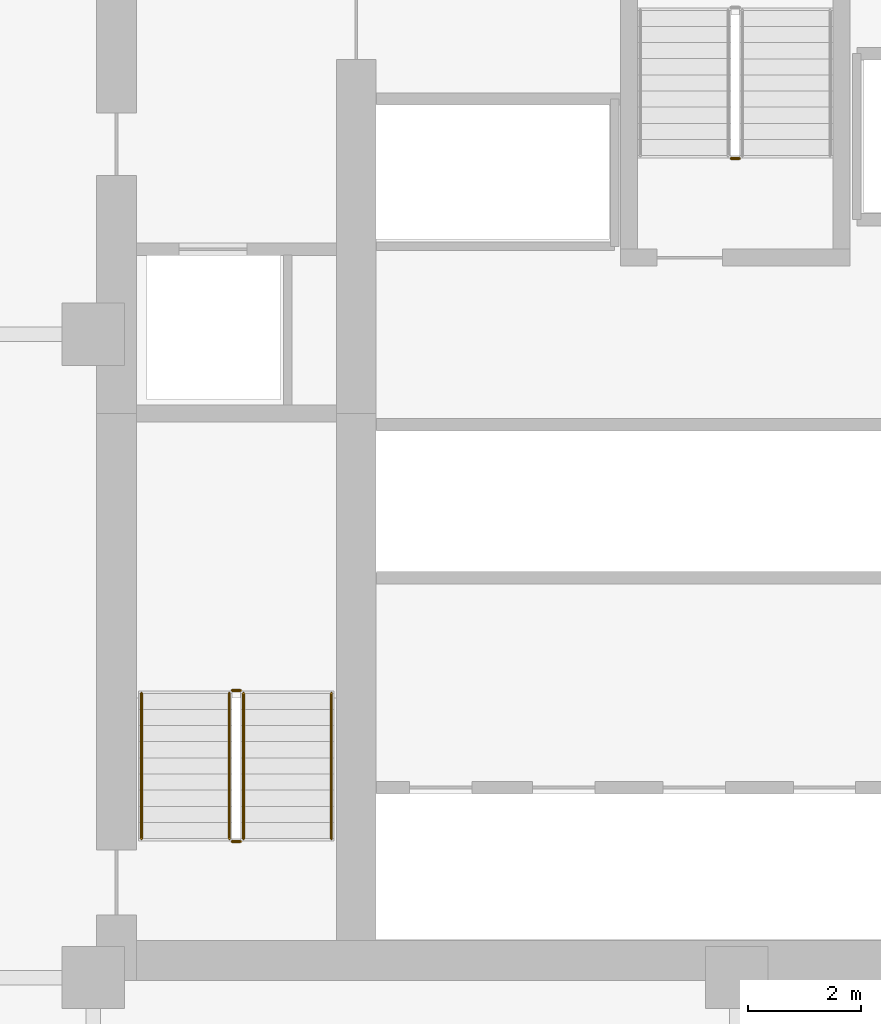
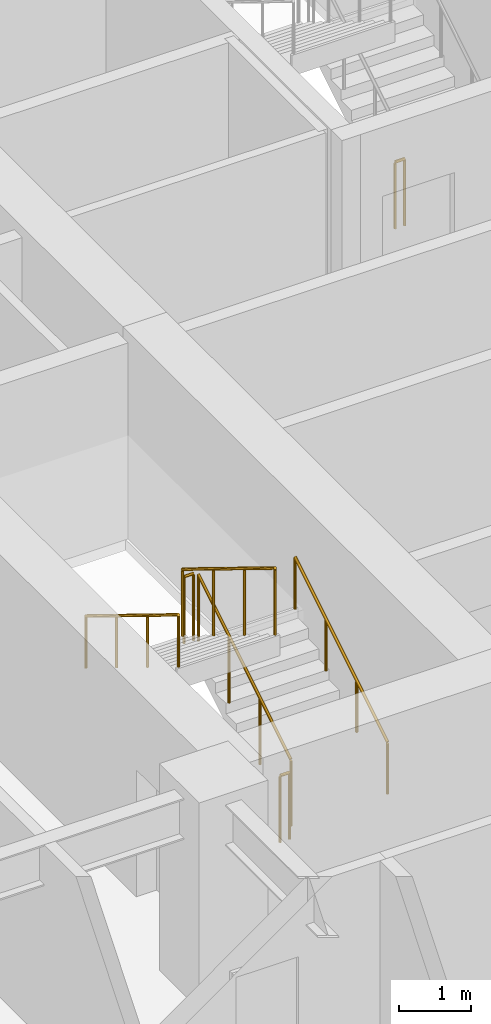
# One storey, part 10 of 11: 7 railings.
"""IFC4 building model written with IfcOpenShell, lengths in metres."""

from ifc_helpers import new_model, si_unit, direction, frame, origin, origin_2d, place, context, subcontext, project, spatial, circle, extrude, material, type_object, element, save


model = new_model("IFC4")

# Units and contexts
model_context = context("Model", 3, precision=1e-05, world=origin(), true_north=direction((0.0, 1.0)))
body_context = subcontext(model_context, "Body", "Model", "MODEL_VIEW")
ifc_project = project(units=[si_unit("LENGTHUNIT", "METRE"), si_unit("AREAUNIT", "SQUARE_METRE"), si_unit("VOLUMEUNIT", "CUBIC_METRE"), si_unit("PLANEANGLEUNIT", "RADIAN"), si_unit("MASSUNIT", "GRAM", prefix="KILO")], contexts=[model_context])

# Site, building, storey
site_placement = place(None, origin())
site = spatial("IfcSite", under=ifc_project, at=site_placement, CompositionType="ELEMENT")
building_placement = place(site_placement, origin())
building = spatial("IfcBuilding", under=site, at=building_placement, Name="Nhamokura Convention Tower", CompositionType="ELEMENT")
storey_placement = place(building_placement, frame((0.0, 0.0, 70.35009765625)))
storey = spatial("IfcBuildingStorey", under=building, at=storey_placement, Name="L16", CompositionType="ELEMENT", Elevation=70.35009765625)

# Railings
ifc_material_1 = material(Name="Anodised bronze stainless steel", Category="steel")
railing_type_1 = type_object("IfcRailingType", Name="StairWallHandrail_900", PredefinedType="HANDRAIL", material=ifc_material_1)
railing_1_placement = place(storey_placement, frame((24.85009765625, 23.10009765625, 0.1748046875)))
element("IfcRailing", 1, at=railing_1_placement, inside=storey, type_object=railing_type_1, Name="L16 ST-01 stair handrail 1", PredefinedType="HANDRAIL", context=body_context, shape_type="SweptSolid", body=[
    extrude(circle(Radius=0.02392578125, at=origin_2d()), frame((0.0, 0.0, 0.8759765625), z_axis=(0.0, 0.85213695991, 0.523318833556), x_axis=(-1.0, 0.0, 0.0)), (0.0, 0.0, 1.0), 3.010009765625),
    extrude(circle(Radius=0.02099609375, at=origin_2d()), origin(), (0.0, 0.0, 1.0), 0.851806640625),
    extrude(circle(Radius=0.02099609375, at=origin_2d()), frame((0.0, 0.85498046875, 0.525146484375)), (0.0, 0.0, 1.0), 0.851806640625),
    extrude(circle(Radius=0.02099609375, at=origin_2d()), frame((0.0, 1.7099609375, 1.050048828125)), (0.0, 0.0, 1.0), 0.851806640625),
    extrude(circle(Radius=0.02099609375, at=origin_2d()), frame((0.0, 2.56494140625, 1.5751953125)), (0.0, 0.0, 1.0), 0.851806640625),
])
railing_2_placement = place(storey_placement, frame((21.5, 25.6650390625, 1.9248046875)))
element("IfcRailing", 2, at=railing_2_placement, inside=storey, type_object=railing_type_1, Name="L16 ST-01 stair handrail 2", PredefinedType="HANDRAIL", context=body_context, shape_type="SweptSolid", body=[
    extrude(circle(Radius=0.02392578125, at=origin_2d()), frame((0.0, 0.0, 0.8759765625), z_axis=(0.0, -0.85213695991, 0.523318833556), x_axis=(1.0, 0.0, 0.0)), (0.0, 0.0, 1.0), 3.010009765625),
    extrude(circle(Radius=0.02099609375, at=origin_2d()), origin(), (0.0, 0.0, 1.0), 0.851806640625),
    extrude(circle(Radius=0.02099609375, at=origin_2d()), frame((0.0, -0.85498046875, 0.525146484375)), (0.0, 0.0, 1.0), 0.851806640625),
    extrude(circle(Radius=0.02099609375, at=origin_2d()), frame((0.0, -1.7099609375, 1.050048828125)), (0.0, 0.0, 1.0), 0.851806640625),
    extrude(circle(Radius=0.02099609375, at=origin_2d()), frame((0.0, -2.56494140625, 1.5751953125)), (0.0, 0.0, 1.0), 0.851806640625),
])
ifc_material_2 = material(Name="Painted tubular steel", Category="steel")
railing_type_2 = type_object("IfcRailingType", Name="StairWellGuardrail_1150", PredefinedType="GUARDRAIL", material=ifc_material_2)
railing_3_placement = place(storey_placement, frame((23.300048828125, 23.10009765625, 0.1748046875)))
element("IfcRailing", 3, at=railing_3_placement, inside=storey, type_object=railing_type_2, Name="L16 ST-01 stair guard 1", PredefinedType="GUARDRAIL", context=body_context, shape_type="SweptSolid", body=[
    extrude(circle(Radius=0.02392578125, at=origin_2d()), frame((0.0, 0.0, 1.1259765625), z_axis=(0.0, 0.85213695991, 0.523318833556), x_axis=(-1.0, 0.0, 0.0)), (0.0, 0.0, 1.0), 3.010009765625),
    extrude(circle(Radius=0.02099609375, at=origin_2d()), origin(), (0.0, 0.0, 1.0), 1.101806640625),
    extrude(circle(Radius=0.02099609375, at=origin_2d()), frame((0.0, 0.85498046875, 0.525146484375)), (0.0, 0.0, 1.0), 1.101806640625),
    extrude(circle(Radius=0.02099609375, at=origin_2d()), frame((0.0, 1.7099609375, 1.050048828125)), (0.0, 0.0, 1.0), 1.101806640625),
    extrude(circle(Radius=0.02099609375, at=origin_2d()), frame((0.0, 2.56494140625, 1.5751953125)), (0.0, 0.0, 1.0), 1.101806640625),
])
railing_4_placement = place(storey_placement, frame((23.25, 25.715087890625, 1.75)))
element("IfcRailing", 4, at=railing_4_placement, inside=storey, type_object=railing_type_2, Name="L16 ST-01 stair guard 2", PredefinedType="GUARDRAIL", context=body_context, shape_type="SweptSolid", body=[
    extrude(circle(Radius=0.02392578125, at=origin_2d()), frame((0.0, 0.0, 1.1259765625), z_axis=(-1.0, 0.0, 0.0), x_axis=(0.0, -1.0, 0.0)), (0.0, 0.0, 1.0), 0.14990234375),
    extrude(circle(Radius=0.02099609375, at=origin_2d()), origin(), (0.0, 0.0, 1.0), 1.101806640625),
    extrude(circle(Radius=0.02099609375, at=origin_2d()), frame((-0.14990234375, 0.0, 0.0)), (0.0, 0.0, 1.0), 1.101806640625),
])
railing_5_placement = place(storey_placement, frame((23.050048828125, 25.6650390625, 1.9248046875)))
element("IfcRailing", 5, at=railing_5_placement, inside=storey, type_object=railing_type_2, Name="L16 ST-01 stair guard 3", PredefinedType="GUARDRAIL", context=body_context, shape_type="SweptSolid", body=[
    extrude(circle(Radius=0.02392578125, at=origin_2d()), frame((0.0, 0.0, 1.1259765625), z_axis=(0.0, -0.85213695991, 0.523318833556), x_axis=(1.0, 0.0, 0.0)), (0.0, 0.0, 1.0), 3.010009765625),
    extrude(circle(Radius=0.02099609375, at=origin_2d()), origin(), (0.0, 0.0, 1.0), 1.101806640625),
    extrude(circle(Radius=0.02099609375, at=origin_2d()), frame((0.0, -0.85498046875, 0.525146484375)), (0.0, 0.0, 1.0), 1.101806640625),
    extrude(circle(Radius=0.02099609375, at=origin_2d()), frame((0.0, -1.7099609375, 1.050048828125)), (0.0, 0.0, 1.0), 1.101806640625),
    extrude(circle(Radius=0.02099609375, at=origin_2d()), frame((0.0, -2.56494140625, 1.5751953125)), (0.0, 0.0, 1.0), 1.101806640625),
])
railing_6_placement = place(storey_placement, frame((23.25, 23.050048828125, 0.0)))
element("IfcRailing", 6, at=railing_6_placement, inside=storey, type_object=railing_type_2, Name="L16 ST-01 stair guard 4", PredefinedType="GUARDRAIL", context=body_context, shape_type="SweptSolid", body=[
    extrude(circle(Radius=0.02392578125, at=origin_2d()), frame((0.0, 0.0, 1.1259765625), z_axis=(-1.0, 0.0, 0.0), x_axis=(0.0, -1.0, 0.0)), (0.0, 0.0, 1.0), 0.14990234375),
    extrude(circle(Radius=0.02099609375, at=origin_2d()), origin(), (0.0, 0.0, 1.0), 1.101806640625),
    extrude(circle(Radius=0.02099609375, at=origin_2d()), frame((-0.14990234375, 0.0, 0.0)), (0.0, 0.0, 1.0), 1.101806640625),
])
railing_7_placement = place(storey_placement, frame((32.050048828125, 35.10009765625, 0.0)))
element("IfcRailing", 7, at=railing_7_placement, inside=storey, type_object=railing_type_2, Name="L16 ST-03 stair guard 4", PredefinedType="GUARDRAIL", context=body_context, shape_type="SweptSolid", body=[
    extrude(circle(Radius=0.02392578125, at=origin_2d()), frame((0.0, 0.0, 1.1259765625), z_axis=(-1.0, 0.0, 0.0), x_axis=(0.0, -1.0, 0.0)), (0.0, 0.0, 1.0), 0.150146484375),
    extrude(circle(Radius=0.02099609375, at=origin_2d()), origin(), (0.0, 0.0, 1.0), 1.101806640625),
    extrude(circle(Radius=0.02099609375, at=origin_2d()), frame((-0.150146484375, 0.0, 0.0)), (0.0, 0.0, 1.0), 1.101806640625),
])

save(model, "model.ifc")
